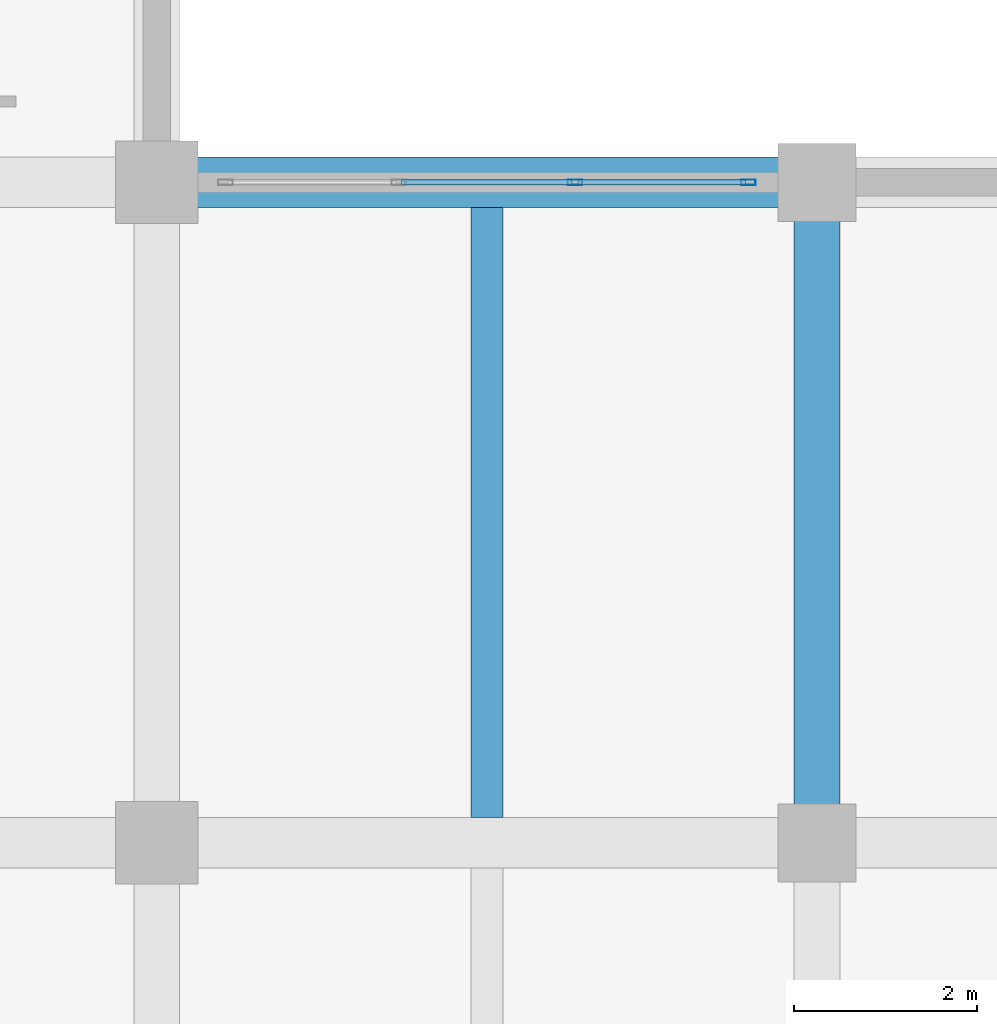
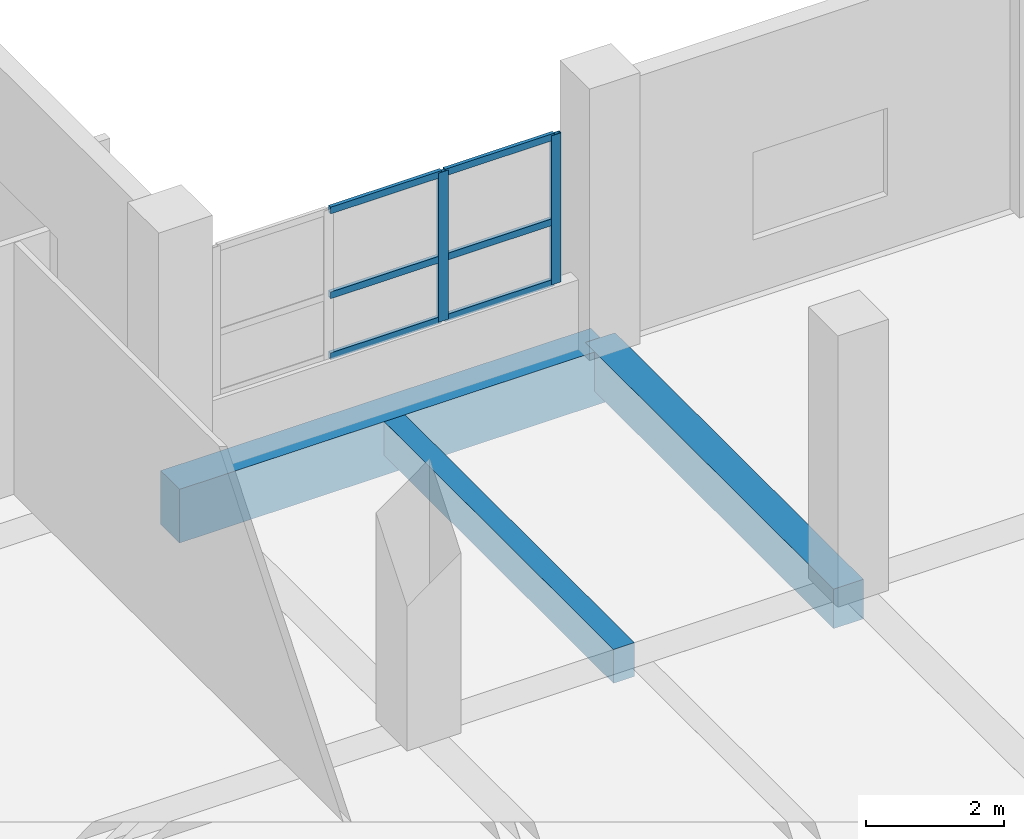
# One storey, part 54 of 181: 8 members, 3 beams, 1 element without a shape of its own.
"""IFC4 building model written with IfcOpenShell, lengths in metres."""

from ifc_helpers import new_model, si_unit, direction, frame, origin, origin_2d, place, context, subcontext, project, spatial, rectangle, hollow_rectangle, extrude, material, layer, layer_set, material_profile, profile_set, type_object, element, aggregate, save


model = new_model("IFC4")

# Units and contexts
model_context = context("Model", 3, precision=1e-05, world=origin(), true_north=direction((0.0, 1.0)))
body_context = subcontext(model_context, "Body", "Model", "MODEL_VIEW")
ifc_project = project(units=[si_unit("LENGTHUNIT", "METRE"), si_unit("AREAUNIT", "SQUARE_METRE"), si_unit("VOLUMEUNIT", "CUBIC_METRE"), si_unit("PLANEANGLEUNIT", "RADIAN"), si_unit("MASSUNIT", "GRAM", prefix="KILO")], contexts=[model_context])

# Site, building, storey
site_placement = place(None, origin())
site = spatial("IfcSite", under=ifc_project, at=site_placement, CompositionType="ELEMENT")
building_placement = place(site_placement, origin())
building = spatial("IfcBuilding", under=site, at=building_placement, Name="Seraya Terrace Polytechnic", CompositionType="ELEMENT")
storey_placement = place(building_placement, frame((0.0, 0.0, 4.800048828125)))
storey = spatial("IfcBuildingStorey", under=building, at=storey_placement, Name="L01", CompositionType="ELEMENT", Elevation=4.800048828125)

# Beams
ifc_material_1 = material(Name="Concrete C40/50", Category="concrete")
ifc_material_profile_1 = material_profile(ifc_material_1, rectangle(XDim=0.550048828125, YDim=0.949951171875, at=origin_2d()), Name="RC 550x950")
ifc_profile_set_1 = profile_set([ifc_material_profile_1], Name="Concrete C40/50")
beam_type_1 = type_object("IfcBeamType", Name="BM-03", PredefinedType="BEAM", material=ifc_profile_set_1)
beam_1_placement = place(storey_placement, frame((108.0, 36.0, -0.47509765625), z_axis=(1.0, 0.0, 0.0), x_axis=(0.0, 1.0, 0.0)))
element("IfcBeam", 1, at=beam_1_placement, inside=storey, type_object=beam_type_1, Name="Beam BM-03 L01 X (108.0..115.2, 36.0)", PredefinedType="BEAM", context=body_context, shape_type="SweptSolid", body=[
    extrude(rectangle(XDim=0.550048828125, YDim=0.949951171875, at=origin_2d()), origin(), (0.0, 0.0, 1.0), 7.199951171875),
])
ifc_material_profile_2 = material_profile(ifc_material_1, rectangle(XDim=0.5, YDim=0.699951171875, at=origin_2d()), Name="RC 500x700")
ifc_profile_set_2 = profile_set([ifc_material_profile_2], Name="Concrete C40/50")
beam_type_2 = type_object("IfcBeamType", Name="BM-07", PredefinedType="BEAM", material=ifc_profile_set_2)
beam_2_placement = place(storey_placement, frame((115.199951171875, 28.800048828125, -0.35009765625), z_axis=(0.0, 1.0, 0.0), x_axis=(-1.0, 0.0, 0.0)))
element("IfcBeam", 2, at=beam_2_placement, inside=storey, type_object=beam_type_2, Name="Beam BM-07 L01 Y (115.2, 28.8..36.0)", PredefinedType="BEAM", context=body_context, shape_type="SweptSolid", body=[
    extrude(rectangle(XDim=0.5, YDim=0.699951171875, at=origin_2d()), origin(), (0.0, 0.0, 1.0), 7.199951171875),
])

# Curtain wall, members
ifc_material_2 = material(Name="Anodised aluminium EN AW-6063 T6", Category="aluminium")
ifc_layer = layer(ifc_material_2, 0.179931640625, Name="CW-17")
ifc_layer_set = layer_set([ifc_layer], Name="Anodised aluminium EN AW-6063 T6")
curtain_wall_type = type_object("IfcCurtainWallType", Name="CW-17", PredefinedType="NOTDEFINED", material=ifc_layer_set)
curtain_wall_placement = place(storey_placement, origin())
curtain_wall = element("IfcCurtainWall", 3, at=curtain_wall_placement, inside=storey, type_object=curtain_wall_type, Name="Unitised curtain wall CW-17 (CW-L01-053)", PredefinedType="NOTDEFINED")
ifc_material_profile_3 = material_profile(ifc_material_2, hollow_rectangle(XDim=0.06005859375, YDim=0.159912109375, WallThickness=0.00341796875, at=origin_2d()), Name="RHS 160x60x3.5")
ifc_profile_set_3 = profile_set([ifc_material_profile_3], Name="Anodised aluminium EN AW-6063 T6")
member_type_1 = type_object("IfcMemberType", Name="CWM-02", PredefinedType="MULLION", material=ifc_profile_set_3)
member_1_placement = place(storey_placement, frame((112.56005859375, 36.0, 1.239990234375), z_axis=(0.0, 0.0, 1.0), x_axis=(0.0, 1.0, 0.0)))
member_1 = element("IfcMember", 4, at=member_1_placement, type_object=member_type_1, Name="CW-17 mullion 3", PredefinedType="MULLION", context=body_context, shape_type="SweptSolid", body=[
    extrude(hollow_rectangle(XDim=0.06005859375, YDim=0.159912109375, WallThickness=0.00341796875, at=origin_2d()), origin(), (0.0, 0.0, 1.0), 2.639892578125),
])
member_2_placement = place(storey_placement, frame((114.449951171875, 36.0, 1.239990234375), z_axis=(0.0, 0.0, 1.0), x_axis=(0.0, 1.0, 0.0)))
member_2 = element("IfcMember", 5, at=member_2_placement, type_object=member_type_1, Name="CW-17 mullion 4", PredefinedType="MULLION", context=body_context, shape_type="SweptSolid", body=[
    extrude(hollow_rectangle(XDim=0.06005859375, YDim=0.159912109375, WallThickness=0.00341796875, at=origin_2d()), origin(), (0.0, 0.0, 1.0), 2.639892578125),
])
ifc_material_profile_4 = material_profile(ifc_material_2, hollow_rectangle(XDim=0.06005859375, YDim=0.1201171875, WallThickness=0.003173828125, at=origin_2d()), Name="RHS 120x60x3.2")
ifc_profile_set_4 = profile_set([ifc_material_profile_4], Name="Anodised aluminium EN AW-6063 T6")
member_type_2 = type_object("IfcMemberType", Name="CWT-02", PredefinedType="USERDEFINED", material=ifc_profile_set_4)
member_3_placement = place(storey_placement, frame((110.669921875, 36.0, 1.27001953125), z_axis=(1.0, 0.0, 0.0), x_axis=(0.0, 1.0, 0.0)))
member_3 = element("IfcMember", 6, at=member_3_placement, type_object=member_type_2, Name="CW-17 transom 2.1", ObjectType="TRANSOM", PredefinedType="USERDEFINED", context=body_context, shape_type="SweptSolid", body=[
    extrude(hollow_rectangle(XDim=0.06005859375, YDim=0.1201171875, WallThickness=0.003173828125, at=origin_2d()), origin(), (0.0, 0.0, 1.0), 1.860107421875),
])
member_4_placement = place(storey_placement, frame((110.669921875, 36.0, 2.3486328125), z_axis=(1.0, 0.0, 0.0), x_axis=(0.0, 1.0, 0.0)))
member_4 = element("IfcMember", 7, at=member_4_placement, type_object=member_type_2, Name="CW-17 transom 2.2", ObjectType="TRANSOM", PredefinedType="USERDEFINED", context=body_context, shape_type="SweptSolid", body=[
    extrude(hollow_rectangle(XDim=0.06005859375, YDim=0.1201171875, WallThickness=0.003173828125, at=origin_2d()), origin(), (0.0, 0.0, 1.0), 1.860107421875),
])
member_5_placement = place(storey_placement, frame((110.669921875, 36.0, 3.849853515625), z_axis=(1.0, 0.0, 0.0), x_axis=(0.0, 1.0, 0.0)))
member_5 = element("IfcMember", 8, at=member_5_placement, type_object=member_type_2, Name="CW-17 transom 2.3", ObjectType="TRANSOM", PredefinedType="USERDEFINED", context=body_context, shape_type="SweptSolid", body=[
    extrude(hollow_rectangle(XDim=0.06005859375, YDim=0.1201171875, WallThickness=0.003173828125, at=origin_2d()), origin(), (0.0, 0.0, 1.0), 1.860107421875),
])
member_6_placement = place(storey_placement, frame((112.590087890625, 36.0, 1.27001953125), z_axis=(1.0, 0.0, 0.0), x_axis=(0.0, 1.0, 0.0)))
member_6 = element("IfcMember", 9, at=member_6_placement, type_object=member_type_2, Name="CW-17 transom 3.1", ObjectType="TRANSOM", PredefinedType="USERDEFINED", context=body_context, shape_type="SweptSolid", body=[
    extrude(hollow_rectangle(XDim=0.06005859375, YDim=0.1201171875, WallThickness=0.003173828125, at=origin_2d()), origin(), (0.0, 0.0, 1.0), 1.829833984375),
])
member_7_placement = place(storey_placement, frame((112.590087890625, 36.0, 2.3486328125), z_axis=(1.0, 0.0, 0.0), x_axis=(0.0, 1.0, 0.0)))
member_7 = element("IfcMember", 10, at=member_7_placement, type_object=member_type_2, Name="CW-17 transom 3.2", ObjectType="TRANSOM", PredefinedType="USERDEFINED", context=body_context, shape_type="SweptSolid", body=[
    extrude(hollow_rectangle(XDim=0.06005859375, YDim=0.1201171875, WallThickness=0.003173828125, at=origin_2d()), origin(), (0.0, 0.0, 1.0), 1.829833984375),
])
member_8_placement = place(storey_placement, frame((112.590087890625, 36.0, 3.849853515625), z_axis=(1.0, 0.0, 0.0), x_axis=(0.0, 1.0, 0.0)))
member_8 = element("IfcMember", 11, at=member_8_placement, type_object=member_type_2, Name="CW-17 transom 3.3", ObjectType="TRANSOM", PredefinedType="USERDEFINED", context=body_context, shape_type="SweptSolid", body=[
    extrude(hollow_rectangle(XDim=0.06005859375, YDim=0.1201171875, WallThickness=0.003173828125, at=origin_2d()), origin(), (0.0, 0.0, 1.0), 1.829833984375),
])
aggregate(curtain_wall, [member_1, member_2, member_3, member_4, member_5, member_6, member_7, member_8])

# Beam
ifc_material_profile_5 = material_profile(ifc_material_1, rectangle(XDim=0.35009765625, YDim=0.60009765625, at=origin_2d()), Name="RC 350x600")
ifc_profile_set_5 = profile_set([ifc_material_profile_5], Name="Concrete C40/50")
beam_type_3 = type_object("IfcBeamType", Name="JS-02", PredefinedType="JOIST", material=ifc_profile_set_5)
beam_3_placement = place(storey_placement, frame((111.60009765625, 29.074951171875, -0.300048828125), z_axis=(0.0, 1.0, 0.0), x_axis=(-1.0, 0.0, 0.0)))
element("IfcBeam", 12, at=beam_3_placement, inside=storey, type_object=beam_type_3, Name="Secondary joist JS-02 L01", PredefinedType="JOIST", context=body_context, shape_type="SweptSolid", body=[
    extrude(rectangle(XDim=0.35009765625, YDim=0.60009765625, at=origin_2d()), origin(), (0.0, 0.0, 1.0), 6.650146484375),
])

save(model, "model.ifc")
